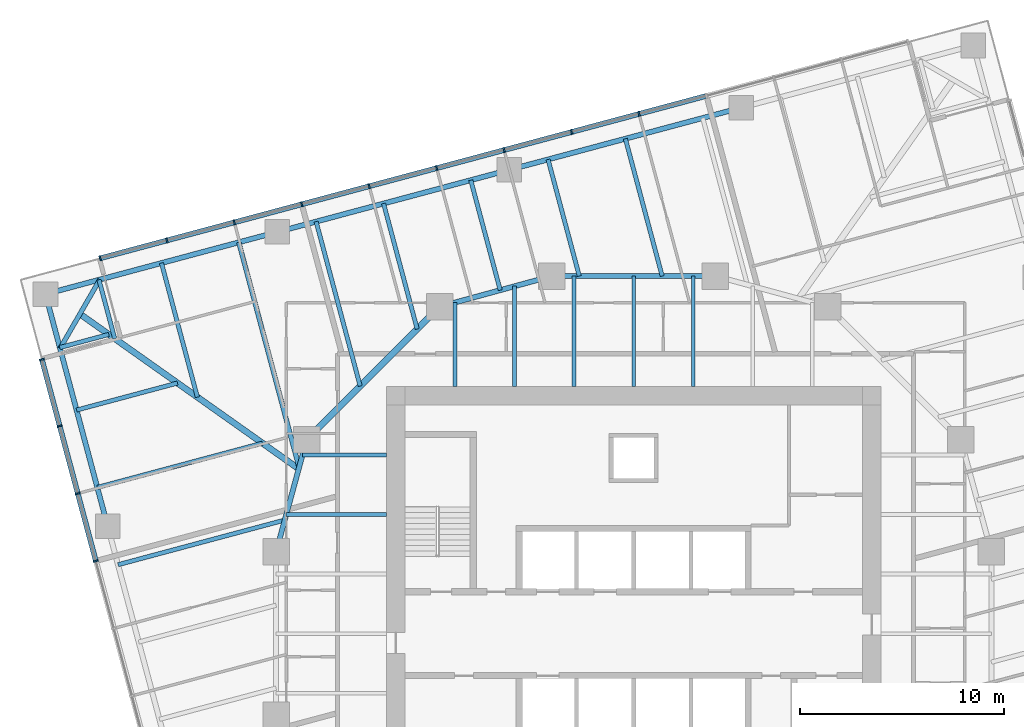
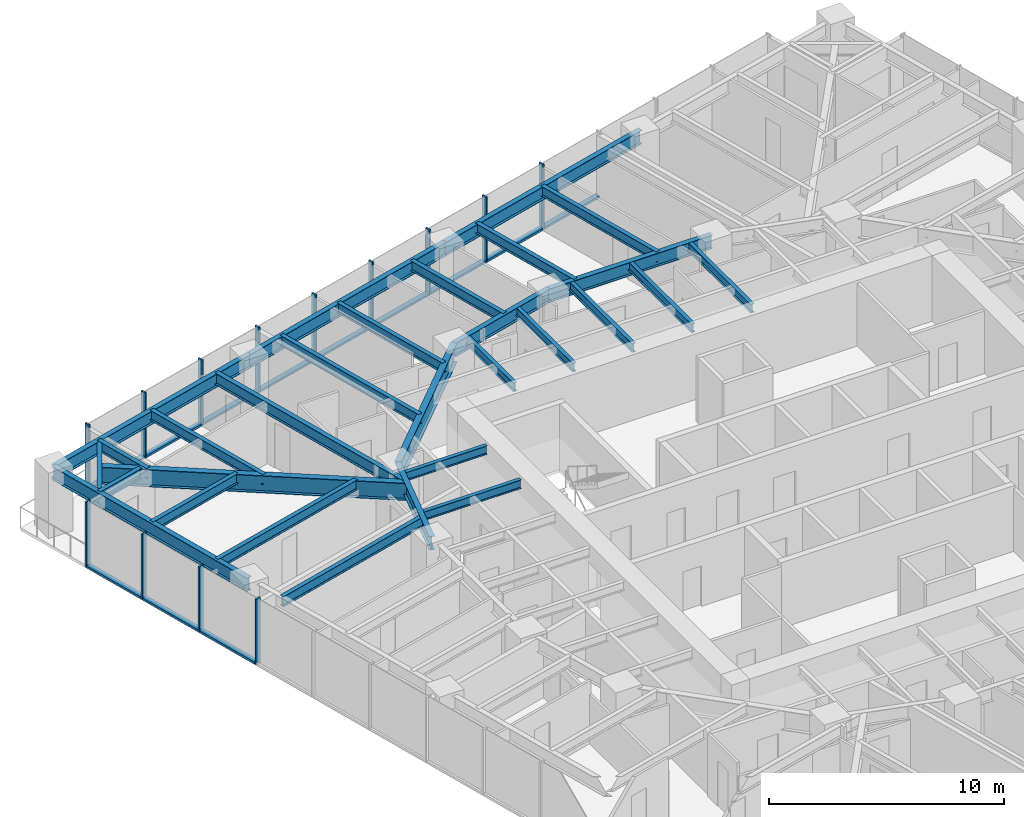
# One storey, part 5 of 14: 29 beams, 25 members, 2 elements without a shape of their own.
"""IFC4 building model written with IfcOpenShell, lengths in metres."""

import ifcopenshell
import ifcopenshell.guid

model = None  # the IFC model being written
_history = None  # IfcOwnerHistory: only IFC2X3 demands one
_inside = {}  # id of a spatial element -> (the spatial element, [elements in it])
_under = {}  # id of a project, library or spatial element -> (it, [spatial elements below it])
_declared = {}  # id of a project -> (the project, [libraries it declares])
_typed = {}  # id of a type object -> (the type object, [elements of that type])
_made_of = {}  # id of a material, layer set ... -> (it, [elements and type objects made of it])


def new_model(schema):
    """Start an empty IFC model of exactly this schema.

    Asked for "IFC4X3", IfcOpenShell would pick the latest addendum, in which some entities
    have other attributes; the version numbers below select the first issue.
    IFC2X3 requires an IfcOwnerHistory on every rooted entity: one is made here for all.
    """
    global model, _history
    if schema == "IFC4X3":
        model = ifcopenshell.file(schema_version=(4, 3, 0, 0))
    else:
        model = ifcopenshell.file(schema=schema)
    _inside.clear()
    _under.clear()
    _declared.clear()
    _typed.clear()
    _made_of.clear()
    _history = None
    if model.schema == "IFC2X3":
        org = make("IfcOrganization", Name="unknown")
        user = make(
            "IfcPersonAndOrganization",
            ThePerson=make("IfcPerson", FamilyName="unknown"),
            TheOrganization=org,
        )
        app = make(
            "IfcApplication",
            ApplicationDeveloper=org,
            Version="unknown",
            ApplicationFullName="unknown",
            ApplicationIdentifier="unknown",
        )
        _history = make(
            "IfcOwnerHistory",
            OwningUser=user,
            OwningApplication=app,
            ChangeAction="ADDED",
            CreationDate=0,
        )
    return model


def make(cls, **values):
    """One entity of the class cls with the attributes given. An attribute that is None is left unset."""
    return model.create_entity(
        cls, **{name: value for name, value in values.items() if value is not None}
    )


def rooted(cls, **values):
    """An entity with a GlobalId (a new one), such as an element, a storey or a relation."""
    return make(cls, GlobalId=ifcopenshell.guid.new(), OwnerHistory=_history, **values)


def si_unit(unit_type, name, prefix=None):
    """IfcSIUnit, for example si_unit("LENGTHUNIT", "METRE", prefix="MILLI")."""
    return make("IfcSIUnit", UnitType=unit_type, Prefix=prefix, Name=name)


def assignment(units):
    """IfcUnitAssignment: the units of a project."""
    return None if units is None else make("IfcUnitAssignment", Units=units)


def point(xyz):
    """IfcCartesianPoint."""
    return None if xyz is None else make("IfcCartesianPoint", Coordinates=xyz)


def direction(xyz):
    """IfcDirection."""
    return None if xyz is None else make("IfcDirection", DirectionRatios=xyz)


def frame(location, z_axis=None, x_axis=None):
    """IfcAxis2Placement3D, a coordinate frame: its origin and axes. An axis left out is left unset."""
    return make(
        "IfcAxis2Placement3D",
        Location=point(location),
        Axis=direction(z_axis),
        RefDirection=direction(x_axis),
    )


def frame_2d(location, x_axis=None):
    """IfcAxis2Placement2D, a coordinate frame in the plane: its origin and x axis."""
    return make(
        "IfcAxis2Placement2D", Location=point(location), RefDirection=direction(x_axis)
    )


def origin():
    """The frame at (0, 0, 0) with its axes left unset."""
    return frame((0.0, 0.0, 0.0))


def origin_2d():
    """The frame at (0, 0) in the plane with its x axis left unset."""
    return frame_2d((0.0, 0.0))


def place(relative_to, where):
    """IfcLocalPlacement: puts the frame where relative to a parent placement (None: the world)."""
    return make(
        "IfcLocalPlacement", PlacementRelTo=relative_to, RelativePlacement=where
    )


def context(
    kind, dimensions, precision=None, world=None, true_north=None, identifier=None
):
    """IfcGeometricRepresentationContext, for example the 3D "Model" context."""
    return make(
        "IfcGeometricRepresentationContext",
        ContextIdentifier=identifier,
        ContextType=kind,
        CoordinateSpaceDimension=dimensions,
        Precision=precision,
        WorldCoordinateSystem=world,
        TrueNorth=true_north,
    )


def subcontext(parent, identifier, kind, view, scale=None):
    """IfcGeometricRepresentationSubContext, for example "Body" below "Model"."""
    return make(
        "IfcGeometricRepresentationSubContext",
        ContextIdentifier=identifier,
        ContextType=kind,
        ParentContext=parent,
        TargetScale=scale,
        TargetView=view,
    )


def project(units=None, contexts=None):
    """IfcProject with its units and contexts."""
    return rooted(
        "IfcProject",
        Name="project",
        RepresentationContexts=contexts,
        UnitsInContext=assignment(units),
    )


def spatial(cls, under=None, at=None, **own):
    """A site, building, storey or space (cls), placed at a placement, below another one or the project."""
    s = rooted(cls, ObjectPlacement=at, **own)
    if under is not None:
        _under.setdefault(under.id(), (under, []))[1].append(s)
    return s


def profile(cls, at=None, kind="AREA", **sizes):
    """A parametric profile (cls). Its sizes go by their IFC names, for example OverallWidth=200.0."""
    return make(cls, ProfileType=kind, Position=at, **sizes)


def rectangle(**sizes):
    """IfcRectangleProfileDef."""
    return profile("IfcRectangleProfileDef", **sizes)


def i_section(**sizes):
    """IfcIShapeProfileDef."""
    return profile("IfcIShapeProfileDef", **sizes)


def extrude(swept, where, along, depth):
    """IfcExtrudedAreaSolid: the profile swept, set in the frame where, extruded along a direction by depth."""
    return make(
        "IfcExtrudedAreaSolid",
        SweptArea=swept,
        Position=where,
        ExtrudedDirection=direction(along),
        Depth=depth,
    )


def shape(context_of_items, identifier, shape_type, items):
    """IfcShapeRepresentation: the items that make up one representation, for example the "Body"."""
    return make(
        "IfcShapeRepresentation",
        ContextOfItems=context_of_items,
        RepresentationIdentifier=identifier,
        RepresentationType=shape_type,
        Items=items,
    )


def material(Name=None, Category=None):
    """IfcMaterial."""
    return make("IfcMaterial", Name=Name, Category=Category)


def material_profile(
    of_material, cross_section, Name=None, Category=None, Priority=None
):
    """IfcMaterialProfile: a cross section and its material."""
    return make(
        "IfcMaterialProfile",
        Name=Name,
        Material=of_material,
        Profile=cross_section,
        Priority=Priority,
        Category=Category,
    )


def profile_set(profiles, Name=None, composite=None):
    """IfcMaterialProfileSet."""
    return make(
        "IfcMaterialProfileSet",
        Name=Name,
        MaterialProfiles=profiles,
        CompositeProfile=composite,
    )


def made_of(thing, what):
    """Note that an element or type object is made of a material, layer set ...; save() writes the relation."""
    if what is not None:
        _made_of.setdefault(what.id(), (what, []))[1].append(thing)
    return thing


def type_object(cls, material=None, **own):
    """A type object (cls), such as IfcWallType, which elements share."""
    return made_of(rooted(cls, **own), material)


def element(
    cls,
    number,
    at=None,
    inside=None,
    cuts=None,
    type_object=None,
    material=None,
    context=None,
    identifier="Body",
    shape_type=None,
    held_by="IfcProductDefinitionShape",
    body=None,
    shapes=None,
    **own,
):
    """One element of the class cls, such as IfcWall. Its Tag is "e" and its number.

    at: its placement. inside: the storey or other place that contains it. cuts: it is an
    opening in that element (IfcRelVoidsElement). A single representation is given by context,
    identifier, shape_type and body (its items); several are given by shapes. held_by: the class
    of the entity that holds the representations. save() writes the other relations.
    """
    e = rooted(cls, Tag="e%d" % number, ObjectPlacement=at, **own)
    if body is not None:
        shapes = [shape(context, identifier, shape_type, body)]
    if shapes is not None:
        e.Representation = make(held_by, Representations=shapes)
    if inside is not None:
        _inside.setdefault(inside.id(), (inside, []))[1].append(e)
    if cuts is not None:
        rooted(
            "IfcRelVoidsElement", RelatingBuildingElement=cuts, RelatedOpeningElement=e
        )
    if type_object is not None:
        _typed.setdefault(type_object.id(), (type_object, []))[1].append(e)
    return made_of(e, material)


def aggregate(whole, parts):
    """IfcRelAggregates: a whole, such as a stair, and the parts it consists of."""
    return rooted("IfcRelAggregates", RelatingObject=whole, RelatedObjects=parts)


def save(model, path):
    """Write the relations noted so far, then the file.

    IfcRelAggregates (storeys below a building ...), IfcRelContainedInSpatialStructure (elements
    in a storey), IfcRelDefinesByType, IfcRelAssociatesMaterial and IfcRelDeclares: one each for
    every whole, place, type object, material and project.
    """
    for whole, parts in _under.values():
        aggregate(whole, parts)
    for where, things in _inside.values():
        rooted(
            "IfcRelContainedInSpatialStructure",
            RelatedElements=things,
            RelatingStructure=where,
        )
    for kind, things in _typed.values():
        rooted("IfcRelDefinesByType", RelatedObjects=things, RelatingType=kind)
    for what, things in _made_of.values():
        rooted("IfcRelAssociatesMaterial", RelatedObjects=things, RelatingMaterial=what)
    for by, libraries in _declared.values():
        rooted("IfcRelDeclares", RelatingContext=by, RelatedDefinitions=libraries)
    model.write(path)


model = new_model("IFC4")

# Units and contexts
model_context = context("Model", 3, precision=1e-05, world=origin(), true_north=direction((0.0, 1.0)))
body_context = subcontext(model_context, "Body", "Model", "MODEL_VIEW")
ifc_project = project(units=[si_unit("LENGTHUNIT", "METRE"), si_unit("AREAUNIT", "SQUARE_METRE"), si_unit("VOLUMEUNIT", "CUBIC_METRE"), si_unit("PLANEANGLEUNIT", "RADIAN"), si_unit("MASSUNIT", "GRAM", prefix="KILO")], contexts=[model_context])

# Site, building, storey
site_placement = place(None, origin())
site = spatial("IfcSite", under=ifc_project, at=site_placement, CompositionType="ELEMENT")
building_placement = place(site_placement, origin())
building = spatial("IfcBuilding", under=site, at=building_placement, Name="Torsade Residences", CompositionType="ELEMENT")
storey_placement = place(building_placement, frame((0.0, 0.0, 125.199951171875)))
storey = spatial("IfcBuildingStorey", under=building, at=storey_placement, Name="L34", CompositionType="ELEMENT", Elevation=125.199951171875)

# Beams
ifc_material_1 = material(Name="Steel grade 300", Category="steel")
ifc_material_profile_1 = material_profile(ifc_material_1, i_section(OverallWidth=0.300048828125, OverallDepth=0.89990234375, WebThickness=0.011962890625, FlangeThickness=0.02490234375, at=origin_2d()), Name="900WB175")
ifc_profile_set_1 = profile_set([ifc_material_profile_1], Name="Steel grade 300")
beam_type_1 = type_object("IfcBeamType", Name="CORNER GIRDER 900WB175", PredefinedType="BEAM", material=ifc_profile_set_1)
beam_1_placement = place(storey_placement, frame((12.902587890625, 45.644775390625, 2.800048828125), z_axis=(0.816261084801, -0.577683167004, 0.0), x_axis=(0.577683167004, 0.816261084801, 0.0)))
element("IfcBeam", 1, at=beam_1_placement, inside=storey, type_object=beam_type_1, Name="Corner girder 13 L35", PredefinedType="BEAM", context=body_context, shape_type="SweptSolid", body=[
    extrude(i_section(OverallWidth=0.300048828125, OverallDepth=0.89990234375, WebThickness=0.011962890625, FlangeThickness=0.02490234375, at=origin_2d()), origin(), (0.0, 0.0, 1.0), 13.116943359375),
])
ifc_material_2 = material(Name="Steel grade 300", Category="steel")
ifc_material_profile_2 = material_profile(ifc_material_2, i_section(OverallWidth=0.22802734375, OverallDepth=0.60205078125, WebThickness=0.010498046875, FlangeThickness=0.014892578125, FilletRadius=0.013916015625, at=origin_2d()), Name="610UB101")
ifc_profile_set_2 = profile_set([ifc_material_profile_2], Name="Steel grade 300")
beam_type_2 = type_object("IfcBeamType", Name="CORNER TRIMMER 610UB101", PredefinedType="BEAM", material=ifc_profile_set_2)
beam_2_placement = place(storey_placement, frame((11.93017578125, 43.960693359375, 2.948974609375), z_axis=(0.499994147244, 0.866028782848, 0.0), x_axis=(-0.866028782848, 0.499994147244, 0.0)))
element("IfcBeam", 2, at=beam_2_placement, inside=storey, type_object=beam_type_2, Name="Corner trimmer 13 L35", PredefinedType="BEAM", context=body_context, shape_type="SweptSolid", body=[
    extrude(i_section(OverallWidth=0.22802734375, OverallDepth=0.60205078125, WebThickness=0.010498046875, FlangeThickness=0.014892578125, FilletRadius=0.013916015625, at=origin_2d()), origin(), (0.0, 0.0, 1.0), 3.88916015625),
])
ifc_material_3 = material(Name="Steel grade 300", Category="steel")
ifc_material_profile_3 = material_profile(ifc_material_3, i_section(OverallWidth=0.25, OverallDepth=0.699951171875, WebThickness=0.010009765625, FlangeThickness=0.02001953125, at=origin_2d()), Name="700WB130")
ifc_profile_set_3 = profile_set([ifc_material_profile_3], Name="Steel grade 300")
beam_type_3 = type_object("IfcBeamType", Name="EDGE BEAM 700WB130", PredefinedType="SPANDREL", material=ifc_profile_set_3)
for number, where, z_axis, x_axis, name in (
    (3, (45.267333984375, 55.740478515625, 2.900146484375), (-0.965922824118, -0.258830249097, 0.0), (0.258830249097, -0.965922824118, 0.0), "Edge beam 10 L35"),
    (4, (33.917724609375, 52.69921875, 2.900146484375), (-0.965928018634, -0.258810863021, 0.0), (0.258810863021, -0.965928018634, 0.0), "Edge beam 11 L35"),
    (5, (22.568115234375, 49.658203125, 2.900146484375), (-0.965922824118, -0.258830249097, 0.0), (0.258830249097, -0.965922824118, 0.0), "Edge beam 12 L35"),
    (6, (11.218505859375, 46.616943359375, 2.900146484375), (0.258810863021, -0.965928018634, 0.0), (0.965928018634, 0.258810863021, 0.0), "Edge beam 13 L35"),
):
    element("IfcBeam", number, at=place(storey_placement, frame(where, z_axis=z_axis, x_axis=x_axis)), inside=storey, type_object=beam_type_3, Name=name, PredefinedType="SPANDREL", context=body_context, shape_type="SweptSolid", body=[
        extrude(i_section(OverallWidth=0.25, OverallDepth=0.699951171875, WebThickness=0.010009765625, FlangeThickness=0.02001953125, at=origin_2d()), origin(), (0.0, 0.0, 1.0), 11.75),
    ])
ifc_material_4 = material(Name="Steel grade 300", Category="steel")
ifc_material_profile_4 = material_profile(ifc_material_4, i_section(OverallWidth=0.18994140625, OverallDepth=0.4541015625, WebThickness=0.008544921875, FlangeThickness=0.0126953125, FilletRadius=0.011474609375, at=origin_2d()), Name="460UB67.1")
ifc_profile_set_4 = profile_set([ifc_material_profile_4], Name="Steel grade 300")
beam_type_4 = type_object("IfcBeamType", Name="INNER FLOOR BEAM 460UB67.1", PredefinedType="JOIST", material=ifc_profile_set_4)
beam_3_placement = place(storey_placement, frame((31.262451171875, 42.10009765625, 3.02294921875), z_axis=(0.0, 1.0, 0.0), x_axis=(-1.0, 0.0, 0.0)))
element("IfcBeam", 7, at=beam_3_placement, inside=storey, type_object=beam_type_4, Name="Inner floor beam IN01 L35", PredefinedType="JOIST", context=body_context, shape_type="SweptSolid", body=[
    extrude(i_section(OverallWidth=0.18994140625, OverallDepth=0.4541015625, WebThickness=0.008544921875, FlangeThickness=0.0126953125, FilletRadius=0.011474609375, at=origin_2d()), origin(), (0.0, 0.0, 1.0), 4.10791015625),
])
beam_4_placement = place(storey_placement, frame((34.175048828125, 42.10009765625, 3.02294921875), z_axis=(0.0, 1.0, 0.0), x_axis=(-1.0, 0.0, 0.0)))
element("IfcBeam", 8, at=beam_4_placement, inside=storey, type_object=beam_type_4, Name="Inner floor beam IN02 L35", PredefinedType="JOIST", context=body_context, shape_type="SweptSolid", body=[
    extrude(i_section(OverallWidth=0.18994140625, OverallDepth=0.4541015625, WebThickness=0.008544921875, FlangeThickness=0.0126953125, FilletRadius=0.011474609375, at=origin_2d()), origin(), (0.0, 0.0, 1.0), 4.902099609375),
])
for number, where, z_axis, x_axis, name in (
    (9, (37.08740234375, 42.10009765625, 3.02294921875), (0.0, 1.0, 0.0), (-1.0, 0.0, 0.0), "Inner floor beam IN03 L35"),
    (10, (40.0, 42.10009765625, 3.02294921875), (0.0, 1.0, 0.0), (-1.0, 0.0, 0.0), "Inner floor beam IN04 L35"),
    (11, (42.91259765625, 42.10009765625, 3.02294921875), (0.0, 1.0, 0.0), (-1.0, 0.0, 0.0), "Inner floor beam IN05 L35"),
):
    element("IfcBeam", number, at=place(storey_placement, frame(where, z_axis=z_axis, x_axis=x_axis)), inside=storey, type_object=beam_type_4, Name=name, PredefinedType="JOIST", context=body_context, shape_type="SweptSolid", body=[
        extrude(i_section(OverallWidth=0.18994140625, OverallDepth=0.4541015625, WebThickness=0.008544921875, FlangeThickness=0.0126953125, FilletRadius=0.011474609375, at=origin_2d()), origin(), (0.0, 0.0, 1.0), 5.39990234375),
    ])
beam_5_placement = place(storey_placement, frame((27.89990234375, 38.737548828125, 3.02294921875), z_axis=(-1.0, 0.0, 0.0), x_axis=(0.0, -1.0, 0.0)))
element("IfcBeam", 12, at=beam_5_placement, inside=storey, type_object=beam_type_4, Name="Inner floor beam IW01 L35", PredefinedType="JOIST", context=body_context, shape_type="SweptSolid", body=[
    extrude(i_section(OverallWidth=0.18994140625, OverallDepth=0.4541015625, WebThickness=0.008544921875, FlangeThickness=0.0126953125, FilletRadius=0.011474609375, at=origin_2d()), origin(), (0.0, 0.0, 1.0), 4.10791015625),
])
beam_6_placement = place(storey_placement, frame((27.89990234375, 35.824951171875, 3.02294921875), z_axis=(-1.0, 0.0, 0.0), x_axis=(0.0, -1.0, 0.0)))
element("IfcBeam", 13, at=beam_6_placement, inside=storey, type_object=beam_type_4, Name="Inner floor beam IW02 L35", PredefinedType="JOIST", context=body_context, shape_type="SweptSolid", body=[
    extrude(i_section(OverallWidth=0.18994140625, OverallDepth=0.4541015625, WebThickness=0.008544921875, FlangeThickness=0.0126953125, FilletRadius=0.011474609375, at=origin_2d()), origin(), (0.0, 0.0, 1.0), 4.902099609375),
])

# Curtain wall, members
ifc_material_5 = material(Name="Aluminium and glass", Category="aluminium")
curtain_wall_type = type_object("IfcCurtainWallType", Name="FRITTED GLASS CURTAIN WALL MID ZONE", PredefinedType="NOTDEFINED", material=ifc_material_5)
curtain_wall_1_placement = place(storey_placement, origin())
curtain_wall_1 = element("IfcCurtainWall", 14, at=curtain_wall_1_placement, inside=storey, type_object=curtain_wall_type, Name="Curtain wall L34 face 7", PredefinedType="NOTDEFINED")
ifc_material_6 = material(Name="Aluminium mullion", Category="aluminium")
ifc_material_profile_5 = material_profile(ifc_material_6, rectangle(XDim=0.25, YDim=0.080078125, at=origin_2d()), Name="MID ZONE CURTAIN WALL MULLION 250x80")
ifc_profile_set_5 = profile_set([ifc_material_profile_5], Name="Aluminium mullion")
member_type_1 = type_object("IfcMemberType", Name="MID ZONE CURTAIN WALL MULLION 250x80", PredefinedType="MULLION", material=ifc_profile_set_5)
member_1_placement = place(storey_placement, frame((40.259521484375, 55.433837890625, 0.0), z_axis=(0.0, 0.0, 1.0), x_axis=(0.258819047783, -0.965925825571, 0.0)))
member_1 = element("IfcMember", 15, at=member_1_placement, type_object=member_type_1, Name="Mullion 5", PredefinedType="MULLION", context=body_context, shape_type="SweptSolid", body=[
    extrude(rectangle(XDim=0.25, YDim=0.080078125, at=origin_2d()), origin(), (0.0, 0.0, 1.0), 3.400146484375),
])
member_2_placement = place(storey_placement, frame((36.959228515625, 54.549560546875, 0.0), z_axis=(0.0, 0.0, 1.0), x_axis=(0.258819047783, -0.965925825571, 0.0)))
member_2 = element("IfcMember", 16, at=member_2_placement, type_object=member_type_1, Name="Mullion 6", PredefinedType="MULLION", context=body_context, shape_type="SweptSolid", body=[
    extrude(rectangle(XDim=0.25, YDim=0.080078125, at=origin_2d()), origin(), (0.0, 0.0, 1.0), 3.400146484375),
])
member_3_placement = place(storey_placement, frame((33.658935546875, 53.665283203125, 0.0), z_axis=(0.0, 0.0, 1.0), x_axis=(0.258819047783, -0.965925825571, 0.0)))
member_3 = element("IfcMember", 17, at=member_3_placement, type_object=member_type_1, Name="Mullion 7", PredefinedType="MULLION", context=body_context, shape_type="SweptSolid", body=[
    extrude(rectangle(XDim=0.25, YDim=0.080078125, at=origin_2d()), origin(), (0.0, 0.0, 1.0), 3.400146484375),
])
member_4_placement = place(storey_placement, frame((30.358642578125, 52.781005859375, 0.0), z_axis=(0.0, 0.0, 1.0), x_axis=(0.258819047783, -0.965925825571, 0.0)))
member_4 = element("IfcMember", 18, at=member_4_placement, type_object=member_type_1, Name="Mullion 8", PredefinedType="MULLION", context=body_context, shape_type="SweptSolid", body=[
    extrude(rectangle(XDim=0.25, YDim=0.080078125, at=origin_2d()), origin(), (0.0, 0.0, 1.0), 3.400146484375),
])
member_5_placement = place(storey_placement, frame((27.058349609375, 51.896484375, 0.0), z_axis=(0.0, 0.0, 1.0), x_axis=(0.258819047783, -0.965925825571, 0.0)))
member_5 = element("IfcMember", 19, at=member_5_placement, type_object=member_type_1, Name="Mullion 9", PredefinedType="MULLION", context=body_context, shape_type="SweptSolid", body=[
    extrude(rectangle(XDim=0.25, YDim=0.080078125, at=origin_2d()), origin(), (0.0, 0.0, 1.0), 3.400146484375),
])
member_6_placement = place(storey_placement, frame((23.75830078125, 51.01220703125, 0.0), z_axis=(0.0, 0.0, 1.0), x_axis=(0.258819047783, -0.965925825571, 0.0)))
member_6 = element("IfcMember", 20, at=member_6_placement, type_object=member_type_1, Name="Mullion 10", PredefinedType="MULLION", context=body_context, shape_type="SweptSolid", body=[
    extrude(rectangle(XDim=0.25, YDim=0.080078125, at=origin_2d()), origin(), (0.0, 0.0, 1.0), 3.400146484375),
])
member_7_placement = place(storey_placement, frame((20.4580078125, 50.1279296875, 0.0), z_axis=(0.0, 0.0, 1.0), x_axis=(0.258819047783, -0.965925825571, 0.0)))
member_7 = element("IfcMember", 21, at=member_7_placement, type_object=member_type_1, Name="Mullion 11", PredefinedType="MULLION", context=body_context, shape_type="SweptSolid", body=[
    extrude(rectangle(XDim=0.25, YDim=0.080078125, at=origin_2d()), origin(), (0.0, 0.0, 1.0), 3.400146484375),
])
member_8_placement = place(storey_placement, frame((17.15771484375, 49.24365234375, 0.0), z_axis=(0.0, 0.0, 1.0), x_axis=(0.258819047783, -0.965925825571, 0.0)))
member_8 = element("IfcMember", 22, at=member_8_placement, type_object=member_type_1, Name="Mullion 12", PredefinedType="MULLION", context=body_context, shape_type="SweptSolid", body=[
    extrude(rectangle(XDim=0.25, YDim=0.080078125, at=origin_2d()), origin(), (0.0, 0.0, 1.0), 3.400146484375),
])
member_9_placement = place(storey_placement, frame((13.89599609375, 48.36962890625, 0.0), z_axis=(0.0, 0.0, 1.0), x_axis=(0.258819047783, -0.965925825571, 0.0)))
member_9 = element("IfcMember", 23, at=member_9_placement, type_object=member_type_1, Name="Mullion 13", PredefinedType="MULLION", context=body_context, shape_type="SweptSolid", body=[
    extrude(rectangle(XDim=0.25, YDim=0.080078125, at=origin_2d()), origin(), (0.0, 0.0, 1.0), 3.400146484375),
])

curtain_wall_2_placement = place(storey_placement, origin())
curtain_wall_2 = element("IfcCurtainWall", 24, at=curtain_wall_2_placement, inside=storey, type_object=curtain_wall_type, Name="Curtain wall L34 face 10", PredefinedType="NOTDEFINED")
member_10_placement = place(storey_placement, frame((11.039306640625, 43.421875, 0.0), z_axis=(0.0, 0.0, 1.0), x_axis=(0.965925825571, 0.258819047783, 0.0)))
member_10 = element("IfcMember", 25, at=member_10_placement, type_object=member_type_1, Name="Mullion 1", PredefinedType="MULLION", context=body_context, shape_type="SweptSolid", body=[
    extrude(rectangle(XDim=0.25, YDim=0.080078125, at=origin_2d()), origin(), (0.0, 0.0, 1.0), 3.400146484375),
])
member_11_placement = place(storey_placement, frame((11.913330078125, 40.16015625, 0.0), z_axis=(0.0, 0.0, 1.0), x_axis=(0.965925825571, 0.258819047783, 0.0)))
member_11 = element("IfcMember", 26, at=member_11_placement, type_object=member_type_1, Name="Mullion 2", PredefinedType="MULLION", context=body_context, shape_type="SweptSolid", body=[
    extrude(rectangle(XDim=0.25, YDim=0.080078125, at=origin_2d()), origin(), (0.0, 0.0, 1.0), 3.400146484375),
])
member_12_placement = place(storey_placement, frame((12.797607421875, 36.85986328125, 0.0), z_axis=(0.0, 0.0, 1.0), x_axis=(0.965925825571, 0.258819047783, 0.0)))
member_12 = element("IfcMember", 27, at=member_12_placement, type_object=member_type_1, Name="Mullion 3", PredefinedType="MULLION", context=body_context, shape_type="SweptSolid", body=[
    extrude(rectangle(XDim=0.25, YDim=0.080078125, at=origin_2d()), origin(), (0.0, 0.0, 1.0), 3.400146484375),
])
member_13_placement = place(storey_placement, frame((13.681884765625, 33.5595703125, 0.0), z_axis=(0.0, 0.0, 1.0), x_axis=(0.965925825571, 0.258819047783, 0.0)))
member_13 = element("IfcMember", 28, at=member_13_placement, type_object=member_type_1, Name="Mullion 4", PredefinedType="MULLION", context=body_context, shape_type="SweptSolid", body=[
    extrude(rectangle(XDim=0.25, YDim=0.080078125, at=origin_2d()), origin(), (0.0, 0.0, 1.0), 3.400146484375),
])

# Member
ifc_material_7 = material(Name="Aluminium transom", Category="aluminium")
ifc_material_profile_6 = material_profile(ifc_material_7, rectangle(XDim=0.25, YDim=0.110107421875, at=origin_2d()), Name="MID ZONE CURTAIN WALL TRANSOM 250x110")
ifc_profile_set_6 = profile_set([ifc_material_profile_6], Name="Aluminium transom")
member_type_2 = type_object("IfcMemberType", Name="MID ZONE CURTAIN WALL TRANSOM 250x110", PredefinedType="USERDEFINED", material=ifc_profile_set_6)
member_14_placement = place(storey_placement, frame((43.52099609375, 56.3076171875, 0.054931640625), z_axis=(-0.965929435155, -0.258805576255, 0.0), x_axis=(0.258805576255, -0.965929435155, 0.0)))
member_14 = element("IfcMember", 29, at=member_14_placement, type_object=member_type_2, Name="Transom 4.1", ObjectType="TRANSOM", PredefinedType="USERDEFINED", context=body_context, shape_type="SweptSolid", body=[
    extrude(rectangle(XDim=0.25, YDim=0.110107421875, at=origin_2d()), origin(), (0.0, 0.0, 1.0), 3.336669921875),
])

member_15_placement = place(storey_placement, frame((40.220703125, 55.42333984375, 0.054931640625), z_axis=(-0.965929435155, -0.258805576255, 0.0), x_axis=(0.258805576255, -0.965929435155, 0.0)))
member_15 = element("IfcMember", 30, at=member_15_placement, type_object=member_type_2, Name="Transom 5.1", ObjectType="TRANSOM", PredefinedType="USERDEFINED", context=body_context, shape_type="SweptSolid", body=[
    extrude(rectangle(XDim=0.25, YDim=0.110107421875, at=origin_2d()), origin(), (0.0, 0.0, 1.0), 3.336669921875),
])

member_16_placement = place(storey_placement, frame((36.920654296875, 54.5390625, 0.054931640625), z_axis=(-0.965934335648, -0.258787285653, 0.0), x_axis=(0.258787285653, -0.965934335648, 0.0)))
member_16 = element("IfcMember", 31, at=member_16_placement, type_object=member_type_2, Name="Transom 6.1", ObjectType="TRANSOM", PredefinedType="USERDEFINED", context=body_context, shape_type="SweptSolid", body=[
    extrude(rectangle(XDim=0.25, YDim=0.110107421875, at=origin_2d()), origin(), (0.0, 0.0, 1.0), 3.3369140625),
])

member_17_placement = place(storey_placement, frame((33.620361328125, 53.65478515625, 0.054931640625), z_axis=(-0.965934335648, -0.258787285653, 0.0), x_axis=(0.258787285653, -0.965934335648, 0.0)))
member_17 = element("IfcMember", 32, at=member_17_placement, type_object=member_type_2, Name="Transom 7.1", ObjectType="TRANSOM", PredefinedType="USERDEFINED", context=body_context, shape_type="SweptSolid", body=[
    extrude(rectangle(XDim=0.25, YDim=0.110107421875, at=origin_2d()), origin(), (0.0, 0.0, 1.0), 3.3369140625),
])

member_18_placement = place(storey_placement, frame((30.320068359375, 52.7705078125, 0.054931640625), z_axis=(-0.965929435155, -0.258805576255, 0.0), x_axis=(0.258805576255, -0.965929435155, 0.0)))
member_18 = element("IfcMember", 33, at=member_18_placement, type_object=member_type_2, Name="Transom 8.1", ObjectType="TRANSOM", PredefinedType="USERDEFINED", context=body_context, shape_type="SweptSolid", body=[
    extrude(rectangle(XDim=0.25, YDim=0.110107421875, at=origin_2d()), origin(), (0.0, 0.0, 1.0), 3.336669921875),
])

member_19_placement = place(storey_placement, frame((27.019775390625, 51.88623046875, 0.054931640625), z_axis=(-0.965929435155, -0.258805576255, 0.0), x_axis=(0.258805576255, -0.965929435155, 0.0)))
member_19 = element("IfcMember", 34, at=member_19_placement, type_object=member_type_2, Name="Transom 9.1", ObjectType="TRANSOM", PredefinedType="USERDEFINED", context=body_context, shape_type="SweptSolid", body=[
    extrude(rectangle(XDim=0.25, YDim=0.110107421875, at=origin_2d()), origin(), (0.0, 0.0, 1.0), 3.336669921875),
])

member_20_placement = place(storey_placement, frame((23.719482421875, 51.001953125, 0.054931640625), z_axis=(-0.965929435155, -0.258805576255, 0.0), x_axis=(0.258805576255, -0.965929435155, 0.0)))
member_20 = element("IfcMember", 35, at=member_20_placement, type_object=member_type_2, Name="Transom 10.1", ObjectType="TRANSOM", PredefinedType="USERDEFINED", context=body_context, shape_type="SweptSolid", body=[
    extrude(rectangle(XDim=0.25, YDim=0.110107421875, at=origin_2d()), origin(), (0.0, 0.0, 1.0), 3.336669921875),
])

member_21_placement = place(storey_placement, frame((20.419189453125, 50.11767578125, 0.054931640625), z_axis=(-0.965929435155, -0.258805576255, 0.0), x_axis=(0.258805576255, -0.965929435155, 0.0)))
member_21 = element("IfcMember", 36, at=member_21_placement, type_object=member_type_2, Name="Transom 11.1", ObjectType="TRANSOM", PredefinedType="USERDEFINED", context=body_context, shape_type="SweptSolid", body=[
    extrude(rectangle(XDim=0.25, YDim=0.110107421875, at=origin_2d()), origin(), (0.0, 0.0, 1.0), 3.336669921875),
])

member_22_placement = place(storey_placement, frame((17.119140625, 49.2333984375, 0.054931640625), z_axis=(-0.965923258633, -0.258828627534, 0.0), x_axis=(0.258828627534, -0.965923258633, 0.0)))
member_22 = element("IfcMember", 37, at=member_22_placement, type_object=member_type_2, Name="Transom 12.1", ObjectType="TRANSOM", PredefinedType="USERDEFINED", context=body_context, shape_type="SweptSolid", body=[
    extrude(rectangle(XDim=0.25, YDim=0.110107421875, at=origin_2d()), origin(), (0.0, 0.0, 1.0), 3.296630859375),
])

aggregate(curtain_wall_1, [member_1, member_2, member_3, member_4, member_5, member_6, member_7, member_8, member_9, member_14, member_15, member_16, member_17, member_18, member_19, member_20, member_21, member_22])

member_23_placement = place(storey_placement, frame((11.0498046875, 43.383056640625, 0.054931640625), z_axis=(0.258828627534, -0.965923258633, 0.0), x_axis=(0.965923258633, 0.258828627534, 0.0)))
member_23 = element("IfcMember", 38, at=member_23_placement, type_object=member_type_2, Name="Transom 1.1", ObjectType="TRANSOM", PredefinedType="USERDEFINED", context=body_context, shape_type="SweptSolid", body=[
    extrude(rectangle(XDim=0.25, YDim=0.110107421875, at=origin_2d()), origin(), (0.0, 0.0, 1.0), 3.296630859375),
])

member_24_placement = place(storey_placement, frame((11.923583984375, 40.12158203125, 0.054931640625), z_axis=(0.258855549498, -0.965916044226, 0.0), x_axis=(0.965916044226, 0.258855549498, 0.0)))
member_24 = element("IfcMember", 39, at=member_24_placement, type_object=member_type_2, Name="Transom 2.1", ObjectType="TRANSOM", PredefinedType="USERDEFINED", context=body_context, shape_type="SweptSolid", body=[
    extrude(rectangle(XDim=0.25, YDim=0.110107421875, at=origin_2d()), origin(), (0.0, 0.0, 1.0), 3.3369140625),
])

member_25_placement = place(storey_placement, frame((12.807861328125, 36.8212890625, 0.054931640625), z_axis=(0.258873844232, -0.96591114124, 0.0), x_axis=(0.96591114124, 0.258873844232, 0.0)))
member_25 = element("IfcMember", 40, at=member_25_placement, type_object=member_type_2, Name="Transom 3.1", ObjectType="TRANSOM", PredefinedType="USERDEFINED", context=body_context, shape_type="SweptSolid", body=[
    extrude(rectangle(XDim=0.25, YDim=0.110107421875, at=origin_2d()), origin(), (0.0, 0.0, 1.0), 3.336669921875),
])

aggregate(curtain_wall_2, [member_10, member_11, member_12, member_13, member_23, member_24, member_25])

# Beams
ifc_material_8 = material(Name="Steel grade 300", Category="steel")
ifc_material_profile_7 = material_profile(ifc_material_8, i_section(OverallWidth=0.300048828125, OverallDepth=1.0, WebThickness=0.01611328125, FlangeThickness=0.028076171875, at=origin_2d()), Name="1000WB215")
ifc_profile_set_7 = profile_set([ifc_material_profile_7], Name="Steel grade 300")
beam_type_5 = type_object("IfcBeamType", Name="RING CORNER GIRDER 1000WB215", PredefinedType="BEAM", material=ifc_profile_set_7)
beam_7_placement = place(storey_placement, frame((30.5, 46.0, 2.75), z_axis=(-0.707106781187, -0.707106781187, 0.0), x_axis=(0.707106781187, -0.707106781187, 0.0)))
element("IfcBeam", 41, at=beam_7_placement, inside=storey, type_object=beam_type_5, Name="Ring girder IR07 L35", PredefinedType="BEAM", context=body_context, shape_type="SweptSolid", body=[
    extrude(i_section(OverallWidth=0.300048828125, OverallDepth=1.0, WebThickness=0.01611328125, FlangeThickness=0.028076171875, at=origin_2d()), origin(), (0.0, 0.0, 1.0), 9.1923828125),
])
ifc_material_9 = material(Name="Steel grade 300", Category="steel")
ifc_material_profile_8 = material_profile(ifc_material_9, i_section(OverallWidth=0.25, OverallDepth=0.699951171875, WebThickness=0.010009765625, FlangeThickness=0.02001953125, at=origin_2d()), Name="700WB130")
ifc_profile_set_8 = profile_set([ifc_material_profile_8], Name="Steel grade 300")
beam_type_6 = type_object("IfcBeamType", Name="RING GIRDER 700WB130", PredefinedType="BEAM", material=ifc_profile_set_8)
beam_8_placement = place(storey_placement, frame((44.0, 47.5, 2.900146484375), z_axis=(-1.0, 0.0, 0.0), x_axis=(0.0, -1.0, 0.0)))
element("IfcBeam", 42, at=beam_8_placement, inside=storey, type_object=beam_type_6, Name="Ring girder IR05 L35", PredefinedType="BEAM", context=body_context, shape_type="SweptSolid", body=[
    extrude(i_section(OverallWidth=0.25, OverallDepth=0.699951171875, WebThickness=0.010009765625, FlangeThickness=0.02001953125, at=origin_2d()), origin(), (0.0, 0.0, 1.0), 8.0),
])
for number, where, z_axis, x_axis, name in (
    (43, (36.0, 47.5, 2.900146484375), (-0.964763821238, -0.263117405792, 0.0), (0.263117405792, -0.964763821238, 0.0), "Ring girder IR06 L35"),
    (44, (24.0, 39.5, 2.900146484375), (-0.263117405792, -0.964763821238, 0.0), (0.964763821238, -0.263117405792, 0.0), "Ring girder IR08 L35"),
):
    element("IfcBeam", number, at=place(storey_placement, frame(where, z_axis=z_axis, x_axis=x_axis)), inside=storey, type_object=beam_type_6, Name=name, PredefinedType="BEAM", context=body_context, shape_type="SweptSolid", body=[
        extrude(i_section(OverallWidth=0.25, OverallDepth=0.699951171875, WebThickness=0.010009765625, FlangeThickness=0.02001953125, at=origin_2d()), origin(), (0.0, 0.0, 1.0), 5.700927734375),
    ])
ifc_material_10 = material(Name="Steel grade 300", Category="steel")
ifc_material_profile_9 = material_profile(ifc_material_10, i_section(OverallWidth=0.208984375, OverallDepth=0.528076171875, WebThickness=0.009521484375, FlangeThickness=0.01318359375, FilletRadius=0.013916015625, at=origin_2d()), Name="530UB82.0")
ifc_profile_set_9 = profile_set([ifc_material_profile_9], Name="Steel grade 300")
beam_type_7 = type_object("IfcBeamType", Name="SECONDARY BEAM 530UB82.0", PredefinedType="JOIST", material=ifc_profile_set_9)
beam_9_placement = place(storey_placement, frame((39.592529296875, 54.2197265625, 2.986083984375), z_axis=(0.258817945835, -0.965926120836, 0.0), x_axis=(0.965926120836, 0.258817945835, 0.0)))
element("IfcBeam", 45, at=beam_9_placement, inside=storey, type_object=beam_type_7, Name="Floor beam FN05 L35", PredefinedType="JOIST", context=body_context, shape_type="SweptSolid", body=[
    extrude(i_section(OverallWidth=0.208984375, OverallDepth=0.528076171875, WebThickness=0.009521484375, FlangeThickness=0.01318359375, FilletRadius=0.013916015625, at=origin_2d()), origin(), (0.0, 0.0, 1.0), 6.956787109375),
])
beam_10_placement = place(storey_placement, frame((35.809326171875, 53.2060546875, 2.986083984375), z_axis=(0.258837996141, -0.965920748174, 0.0), x_axis=(0.965920748174, 0.258837996141, 0.0)))
element("IfcBeam", 46, at=beam_10_placement, inside=storey, type_object=beam_type_7, Name="Floor beam FN06 L35", PredefinedType="JOIST", context=body_context, shape_type="SweptSolid", body=[
    extrude(i_section(OverallWidth=0.208984375, OverallDepth=0.528076171875, WebThickness=0.009521484375, FlangeThickness=0.01318359375, FilletRadius=0.013916015625, at=origin_2d()), origin(), (0.0, 0.0, 1.0), 5.907470703125),
])
beam_11_placement = place(storey_placement, frame((32.026123046875, 52.1923828125, 2.986083984375), z_axis=(0.258829517553, -0.965923020144, 0.0), x_axis=(0.965923020144, 0.258829517553, 0.0)))
element("IfcBeam", 47, at=beam_11_placement, inside=storey, type_object=beam_type_7, Name="Floor beam FN07 L35", PredefinedType="JOIST", context=body_context, shape_type="SweptSolid", body=[
    extrude(i_section(OverallWidth=0.208984375, OverallDepth=0.528076171875, WebThickness=0.009521484375, FlangeThickness=0.01318359375, FilletRadius=0.013916015625, at=origin_2d()), origin(), (0.0, 0.0, 1.0), 5.57275390625),
])
beam_12_placement = place(storey_placement, frame((27.760009765625, 51.04931640625, 2.986083984375), z_axis=(0.258804520856, -0.965929717932, 0.0), x_axis=(0.965929717932, 0.258804520856, 0.0)))
element("IfcBeam", 48, at=beam_12_placement, inside=storey, type_object=beam_type_7, Name="Floor beam FN08 L35", PredefinedType="JOIST", context=body_context, shape_type="SweptSolid", body=[
    extrude(i_section(OverallWidth=0.208984375, OverallDepth=0.528076171875, WebThickness=0.009521484375, FlangeThickness=0.01318359375, FilletRadius=0.013916015625, at=origin_2d()), origin(), (0.0, 0.0, 1.0), 6.360107421875),
])
beam_13_placement = place(storey_placement, frame((24.459716796875, 50.1650390625, 2.986083984375), z_axis=(0.258833232221, -0.96592202475, 0.0), x_axis=(0.96592202475, 0.258833232221, 0.0)))
element("IfcBeam", 49, at=beam_13_placement, inside=storey, type_object=beam_type_7, Name="Floor beam FN09 L35", PredefinedType="JOIST", context=body_context, shape_type="SweptSolid", body=[
    extrude(i_section(OverallWidth=0.208984375, OverallDepth=0.528076171875, WebThickness=0.009521484375, FlangeThickness=0.01318359375, FilletRadius=0.013916015625, at=origin_2d()), origin(), (0.0, 0.0, 1.0), 8.33251953125),
])
beam_14_placement = place(storey_placement, frame((16.893310546875, 48.137451171875, 2.986083984375), z_axis=(0.258814533235, -0.965927035229, 0.0), x_axis=(0.965927035229, 0.258814533235, 0.0)))
element("IfcBeam", 50, at=beam_14_placement, inside=storey, type_object=beam_type_7, Name="Floor beam FN11 L35", PredefinedType="JOIST", context=body_context, shape_type="SweptSolid", body=[
    extrude(i_section(OverallWidth=0.208984375, OverallDepth=0.528076171875, WebThickness=0.009521484375, FlangeThickness=0.01318359375, FilletRadius=0.013916015625, at=origin_2d()), origin(), (0.0, 0.0, 1.0), 6.792724609375),
])
beam_15_placement = place(storey_placement, frame((13.83447265625, 47.31787109375, 2.986083984375), z_axis=(0.258865750242, -0.965913310475, 0.0), x_axis=(0.965913310475, 0.258865750242, 0.0)))
element("IfcBeam", 51, at=beam_15_placement, inside=storey, type_object=beam_type_7, Name="Floor beam FN12 L35", PredefinedType="JOIST", context=body_context, shape_type="SweptSolid", body=[
    extrude(i_section(OverallWidth=0.208984375, OverallDepth=0.528076171875, WebThickness=0.009521484375, FlangeThickness=0.01318359375, FilletRadius=0.013916015625, at=origin_2d()), origin(), (0.0, 0.0, 1.0), 2.980224609375),
])
beam_16_placement = place(storey_placement, frame((11.91943359375, 44.0009765625, 2.986083984375), z_axis=(0.965920834438, 0.258837674225, 0.0), x_axis=(-0.258837674225, 0.965920834438, 0.0)))
element("IfcBeam", 52, at=beam_16_placement, inside=storey, type_object=beam_type_7, Name="Floor beam FW01 L35", PredefinedType="JOIST", context=body_context, shape_type="SweptSolid", body=[
    extrude(i_section(OverallWidth=0.208984375, OverallDepth=0.528076171875, WebThickness=0.009521484375, FlangeThickness=0.01318359375, FilletRadius=0.013916015625, at=origin_2d()), origin(), (0.0, 0.0, 1.0), 2.482666015625),
])
beam_17_placement = place(storey_placement, frame((12.739013671875, 40.942138671875, 2.986083984375), z_axis=(0.965926736728, 0.258815647274, 0.0), x_axis=(-0.258815647274, 0.965926736728, 0.0)))
element("IfcBeam", 53, at=beam_17_placement, inside=storey, type_object=beam_type_7, Name="Floor beam FW02 L35", PredefinedType="JOIST", context=body_context, shape_type="SweptSolid", body=[
    extrude(i_section(OverallWidth=0.208984375, OverallDepth=0.528076171875, WebThickness=0.009521484375, FlangeThickness=0.01318359375, FilletRadius=0.013916015625, at=origin_2d()), origin(), (0.0, 0.0, 1.0), 5.11279296875),
])
beam_18_placement = place(storey_placement, frame((13.752685546875, 37.158935546875, 2.986083984375), z_axis=(0.965924734258, 0.258823120582, 0.0), x_axis=(-0.258823120582, 0.965924734258, 0.0)))
element("IfcBeam", 54, at=beam_18_placement, inside=storey, type_object=beam_type_7, Name="Floor beam FW03 L35", PredefinedType="JOIST", context=body_context, shape_type="SweptSolid", body=[
    extrude(i_section(OverallWidth=0.208984375, OverallDepth=0.528076171875, WebThickness=0.009521484375, FlangeThickness=0.01318359375, FilletRadius=0.013916015625, at=origin_2d()), origin(), (0.0, 0.0, 1.0), 8.365966796875),
])
beam_19_placement = place(storey_placement, frame((14.766357421875, 33.375732421875, 2.986083984375), z_axis=(0.965928701223, 0.258808315464, 0.0), x_axis=(-0.258808315464, 0.965928701223, 0.0)))
element("IfcBeam", 55, at=beam_19_placement, inside=storey, type_object=beam_type_7, Name="Floor beam FW04 L35", PredefinedType="JOIST", context=body_context, shape_type="SweptSolid", body=[
    extrude(i_section(OverallWidth=0.208984375, OverallDepth=0.528076171875, WebThickness=0.009521484375, FlangeThickness=0.01318359375, FilletRadius=0.013916015625, at=origin_2d()), origin(), (0.0, 0.0, 1.0), 8.447509765625),
])
ifc_material_11 = material(Name="Steel grade 300", Category="steel")
ifc_material_profile_10 = material_profile(ifc_material_11, i_section(OverallWidth=0.22900390625, OverallDepth=0.612060546875, WebThickness=0.011962890625, FlangeThickness=0.01953125, FilletRadius=0.013916015625, at=origin_2d()), Name="610UB125")
ifc_profile_set_10 = profile_set([ifc_material_profile_10], Name="Steel grade 300")
beam_type_8 = type_object("IfcBeamType", Name="SECONDARY BEAM 610UB125", PredefinedType="JOIST", material=ifc_profile_set_10)
beam_20_placement = place(storey_placement, frame((20.676513671875, 49.1513671875, 2.944091796875), z_axis=(0.258807068179, -0.965929035417, 0.0), x_axis=(0.965929035417, 0.258807068179, 0.0)))
element("IfcBeam", 56, at=beam_20_placement, inside=storey, type_object=beam_type_8, Name="Floor beam FN10 L35", PredefinedType="JOIST", context=body_context, shape_type="SweptSolid", body=[
    extrude(i_section(OverallWidth=0.22900390625, OverallDepth=0.612060546875, WebThickness=0.011962890625, FlangeThickness=0.01953125, FilletRadius=0.013916015625, at=origin_2d()), origin(), (0.0, 0.0, 1.0), 11.40380859375),
])

save(model, "model.ifc")
